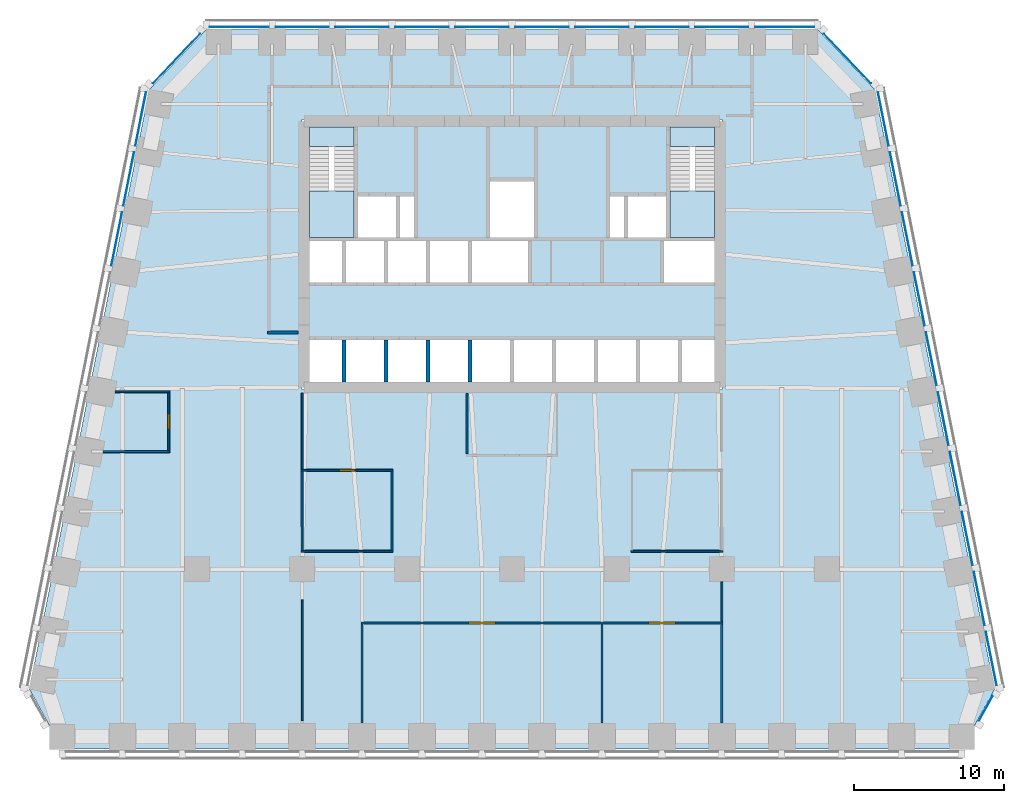
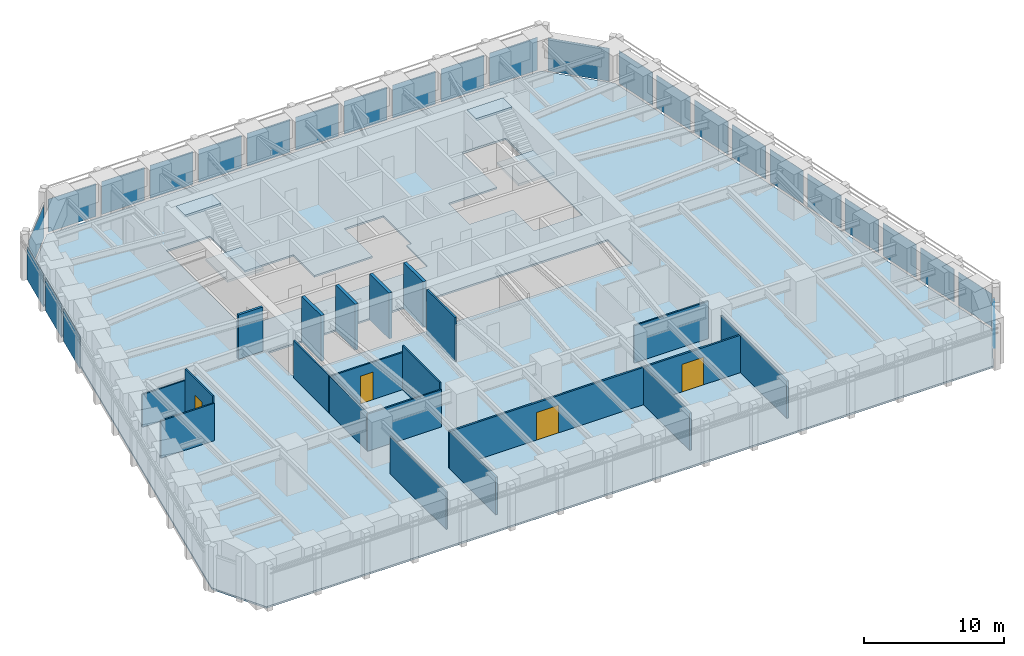
# One storey, part 5 of 9: 26 plates, 21 walls, 5 slabs, 4 doors, 4 openings, 8 elements without a shape of their own.
"""IFC4 building model written with IfcOpenShell, lengths in metres."""

from ifc_helpers import new_model, si_unit, direction, frame, frame_2d, origin, origin_2d, place, context, subcontext, project, spatial, polyline, rectangle, outline, extrude, material, layer, layer_set, type_object, element, fill, aggregate, save


model = new_model("IFC4")

# Units and contexts
model_context = context("Model", 3, precision=1e-05, world=origin(), true_north=direction((0.0, 1.0)))
body_context = subcontext(model_context, "Body", "Model", "MODEL_VIEW")
ifc_project = project(units=[si_unit("LENGTHUNIT", "METRE"), si_unit("AREAUNIT", "SQUARE_METRE"), si_unit("VOLUMEUNIT", "CUBIC_METRE"), si_unit("PLANEANGLEUNIT", "RADIAN"), si_unit("MASSUNIT", "GRAM", prefix="KILO")], contexts=[model_context])

# Site, building, storey
site_placement = place(None, origin())
site = spatial("IfcSite", under=ifc_project, at=site_placement, CompositionType="ELEMENT")
building_placement = place(site_placement, origin())
building = spatial("IfcBuilding", under=site, at=building_placement, Name="Isbrekke Arena Tower", CompositionType="ELEMENT")
storey_placement = place(building_placement, frame((0.0, 0.0, 127.0)))
storey = spatial("IfcBuildingStorey", under=building, at=storey_placement, Name="L28", CompositionType="ELEMENT", Elevation=127.0)

# Curtain wall, plate
ifc_material_1 = material(Name="Glazed aluminium curtain wall", Category="aluminium")
curtain_wall_type = type_object("IfcCurtainWallType", Name="CWM TOWER CURTAIN WALL MID ZONE", PredefinedType="USERDEFINED", material=ifc_material_1)
curtain_wall_1_placement = place(storey_placement, origin())
curtain_wall_1 = element("IfcCurtainWall", 1, at=curtain_wall_1_placement, inside=storey, type_object=curtain_wall_type, Name="CWM curtain wall L28-SE", ObjectType="TOWER CURTAIN WALL MID ZONE", PredefinedType="USERDEFINED")
ifc_material_2 = material(Name="Triple-glazed clear glass unit", Category="glass")
ifc_layer_1 = layer(ifc_material_2, 0.031982421875)
ifc_layer_set_1 = layer_set([ifc_layer_1], Name="CWM-P VISION PANEL")
plate_type = type_object("IfcPlateType", Name="CWM-P VISION PANEL", PredefinedType="CURTAIN_PANEL", material=ifc_layer_set_1)
plate_1_placement = place(storey_placement, frame((31.604248046875, -15.29052734375, 0.02001953125), z_axis=(0.0, 0.0, 1.0), x_axis=(0.481918749773, 0.876215908676, 0.0)))
plate_1 = element("IfcPlate", 2, at=plate_1_placement, type_object=plate_type, Name="CWM-P panel 1", PredefinedType="CURTAIN_PANEL", context=body_context, shape_type="SweptSolid", body=[
    extrude(rectangle(XDim=1.876220703125, YDim=0.031982421875, at=origin_2d()), origin(), (0.0, 0.0, 1.0), 2.8798828125),
])
aggregate(curtain_wall_1, [plate_1])

# Curtain wall, plates
curtain_wall_2_placement = place(storey_placement, origin())
curtain_wall_2 = element("IfcCurtainWall", 3, at=curtain_wall_2_placement, inside=storey, type_object=curtain_wall_type, Name="CWM curtain wall L28-E", ObjectType="TOWER CURTAIN WALL MID ZONE", PredefinedType="USERDEFINED")
plate_2_placement = place(storey_placement, frame((31.9716796875, -11.965576171875, 0.02001953125), z_axis=(0.0, 0.0, 1.0), x_axis=(-0.196116135138, 0.980580675691, 0.0)))
plate_2 = element("IfcPlate", 4, at=plate_2_placement, type_object=plate_type, Name="CWM-P panel 1", PredefinedType="CURTAIN_PANEL", context=body_context, shape_type="SweptSolid", body=[
    extrude(rectangle(XDim=3.629150390625, YDim=0.031982421875, at=origin_2d()), origin(), (0.0, 0.0, 1.0), 2.8798828125),
])
plate_3_placement = place(storey_placement, frame((31.171630859375, -7.965576171875, 0.02001953125), z_axis=(0.0, 0.0, 1.0), x_axis=(-0.196116135138, 0.980580675691, 0.0)))
plate_3 = element("IfcPlate", 5, at=plate_3_placement, type_object=plate_type, Name="CWM-P panel 2", PredefinedType="CURTAIN_PANEL", context=body_context, shape_type="SweptSolid", body=[
    extrude(rectangle(XDim=3.629150390625, YDim=0.031982421875, at=origin_2d()), origin(), (0.0, 0.0, 1.0), 2.8798828125),
])
plate_4_placement = place(storey_placement, frame((30.37158203125, -3.965576171875, 0.02001953125), z_axis=(0.0, 0.0, 1.0), x_axis=(-0.196116135138, 0.980580675691, 0.0)))
plate_4 = element("IfcPlate", 6, at=plate_4_placement, type_object=plate_type, Name="CWM-P panel 3", PredefinedType="CURTAIN_PANEL", context=body_context, shape_type="SweptSolid", body=[
    extrude(rectangle(XDim=3.629150390625, YDim=0.031982421875, at=origin_2d()), origin(), (0.0, 0.0, 1.0), 2.8798828125),
])
plate_5_placement = place(storey_placement, frame((29.571533203125, 0.034423828125, 0.02001953125), z_axis=(0.0, 0.0, 1.0), x_axis=(-0.196116135138, 0.980580675691, 0.0)))
plate_5 = element("IfcPlate", 7, at=plate_5_placement, type_object=plate_type, Name="CWM-P panel 4", PredefinedType="CURTAIN_PANEL", context=body_context, shape_type="SweptSolid", body=[
    extrude(rectangle(XDim=3.629150390625, YDim=0.031982421875, at=origin_2d()), origin(), (0.0, 0.0, 1.0), 2.8798828125),
])
plate_6_placement = place(storey_placement, frame((28.771484375, 4.034423828125, 0.02001953125), z_axis=(0.0, 0.0, 1.0), x_axis=(-0.196116135138, 0.980580675691, 0.0)))
plate_6 = element("IfcPlate", 8, at=plate_6_placement, type_object=plate_type, Name="CWM-P panel 5", PredefinedType="CURTAIN_PANEL", context=body_context, shape_type="SweptSolid", body=[
    extrude(rectangle(XDim=3.629150390625, YDim=0.031982421875, at=origin_2d()), origin(), (0.0, 0.0, 1.0), 2.8798828125),
])
plate_7_placement = place(storey_placement, frame((27.9716796875, 8.034423828125, 0.02001953125), z_axis=(0.0, 0.0, 1.0), x_axis=(-0.196116135138, 0.980580675691, 0.0)))
plate_7 = element("IfcPlate", 9, at=plate_7_placement, type_object=plate_type, Name="CWM-P panel 6", PredefinedType="CURTAIN_PANEL", context=body_context, shape_type="SweptSolid", body=[
    extrude(rectangle(XDim=3.629150390625, YDim=0.031982421875, at=origin_2d()), origin(), (0.0, 0.0, 1.0), 2.8798828125),
])
plate_8_placement = place(storey_placement, frame((27.171630859375, 12.034423828125, 0.02001953125), z_axis=(0.0, 0.0, 1.0), x_axis=(-0.196116135138, 0.980580675691, 0.0)))
plate_8 = element("IfcPlate", 10, at=plate_8_placement, type_object=plate_type, Name="CWM-P panel 7", PredefinedType="CURTAIN_PANEL", context=body_context, shape_type="SweptSolid", body=[
    extrude(rectangle(XDim=3.629150390625, YDim=0.031982421875, at=origin_2d()), origin(), (0.0, 0.0, 1.0), 2.8798828125),
])
plate_9_placement = place(storey_placement, frame((26.37158203125, 16.034423828125, 0.02001953125), z_axis=(0.0, 0.0, 1.0), x_axis=(-0.196116135138, 0.980580675691, 0.0)))
plate_9 = element("IfcPlate", 11, at=plate_9_placement, type_object=plate_type, Name="CWM-P panel 8", PredefinedType="CURTAIN_PANEL", context=body_context, shape_type="SweptSolid", body=[
    extrude(rectangle(XDim=3.629150390625, YDim=0.031982421875, at=origin_2d()), origin(), (0.0, 0.0, 1.0), 2.8798828125),
])
plate_10_placement = place(storey_placement, frame((25.571533203125, 20.034423828125, 0.02001953125), z_axis=(0.0, 0.0, 1.0), x_axis=(-0.196116135138, 0.980580675691, 0.0)))
plate_10 = element("IfcPlate", 12, at=plate_10_placement, type_object=plate_type, Name="CWM-P panel 9", PredefinedType="CURTAIN_PANEL", context=body_context, shape_type="SweptSolid", body=[
    extrude(rectangle(XDim=3.629150390625, YDim=0.031982421875, at=origin_2d()), origin(), (0.0, 0.0, 1.0), 2.8798828125),
])
plate_11_placement = place(storey_placement, frame((24.771484375, 24.034423828125, 0.02001953125), z_axis=(0.0, 0.0, 1.0), x_axis=(-0.196116135138, 0.980580675691, 0.0)))
plate_11 = element("IfcPlate", 13, at=plate_11_placement, type_object=plate_type, Name="CWM-P panel 10", PredefinedType="CURTAIN_PANEL", context=body_context, shape_type="SweptSolid", body=[
    extrude(rectangle(XDim=3.629150390625, YDim=0.031982421875, at=origin_2d()), origin(), (0.0, 0.0, 1.0), 2.8798828125),
])
aggregate(curtain_wall_2, [plate_2, plate_3, plate_4, plate_5, plate_6, plate_7, plate_8, plate_9, plate_10, plate_11])

# Curtain wall, plate
curtain_wall_3_placement = place(storey_placement, origin())
curtain_wall_3 = element("IfcCurtainWall", 14, at=curtain_wall_3_placement, inside=storey, type_object=curtain_wall_type, Name="CWM curtain wall L28-EN", ObjectType="TOWER CURTAIN WALL MID ZONE", PredefinedType="USERDEFINED")
plate_12_placement = place(storey_placement, frame((22.374755859375, 28.06640625, 0.02001953125), z_axis=(0.0, 0.0, 1.0), x_axis=(-0.68874946192, 0.72499943359, 0.0)))
plate_12 = element("IfcPlate", 15, at=plate_12_placement, type_object=plate_type, Name="CWM-P panel 1", PredefinedType="CURTAIN_PANEL", context=body_context, shape_type="SweptSolid", body=[
    extrude(rectangle(XDim=4.558349609375, YDim=0.031982421875, at=origin_2d()), origin(), (0.0, 0.0, 1.0), 2.8798828125),
])
aggregate(curtain_wall_3, [plate_12])

# Curtain wall, plates
curtain_wall_4_placement = place(storey_placement, origin())
curtain_wall_4 = element("IfcCurtainWall", 16, at=curtain_wall_4_placement, inside=storey, type_object=curtain_wall_type, Name="CWM curtain wall L28-N", ObjectType="TOWER CURTAIN WALL MID ZONE", PredefinedType="USERDEFINED")
plate_13_placement = place(storey_placement, frame((18.199951171875, 30.175048828125, 0.02001953125), z_axis=(0.0, 0.0, 1.0), x_axis=(-1.0, 0.0, 0.0)))
plate_13 = element("IfcPlate", 17, at=plate_13_placement, type_object=plate_type, Name="CWM-P panel 1", PredefinedType="CURTAIN_PANEL", context=body_context, shape_type="SweptSolid", body=[
    extrude(rectangle(XDim=3.949951171875, YDim=0.031982421875, at=origin_2d()), origin(), (0.0, 0.0, 1.0), 2.8798828125),
])
plate_14_placement = place(storey_placement, frame((14.0, 30.175048828125, 0.02001953125), z_axis=(0.0, 0.0, 1.0), x_axis=(-1.0, 0.0, 0.0)))
plate_14 = element("IfcPlate", 18, at=plate_14_placement, type_object=plate_type, Name="CWM-P panel 2", PredefinedType="CURTAIN_PANEL", context=body_context, shape_type="SweptSolid", body=[
    extrude(rectangle(XDim=3.550048828125, YDim=0.031982421875, at=origin_2d()), origin(), (0.0, 0.0, 1.0), 2.8798828125),
])
plate_15_placement = place(storey_placement, frame((10.0, 30.175048828125, 0.02001953125), z_axis=(0.0, 0.0, 1.0), x_axis=(-1.0, 0.0, 0.0)))
plate_15 = element("IfcPlate", 19, at=plate_15_placement, type_object=plate_type, Name="CWM-P panel 3", PredefinedType="CURTAIN_PANEL", context=body_context, shape_type="SweptSolid", body=[
    extrude(rectangle(XDim=3.550048828125, YDim=0.031982421875, at=origin_2d()), origin(), (0.0, 0.0, 1.0), 2.8798828125),
])
plate_16_placement = place(storey_placement, frame((6.0, 30.175048828125, 0.02001953125), z_axis=(0.0, 0.0, 1.0), x_axis=(-1.0, 0.0, 0.0)))
plate_16 = element("IfcPlate", 20, at=plate_16_placement, type_object=plate_type, Name="CWM-P panel 4", PredefinedType="CURTAIN_PANEL", context=body_context, shape_type="SweptSolid", body=[
    extrude(rectangle(XDim=3.550048828125, YDim=0.031982421875, at=origin_2d()), origin(), (0.0, 0.0, 1.0), 2.8798828125),
])
plate_17_placement = place(storey_placement, frame((2.0, 30.175048828125, 0.02001953125), z_axis=(0.0, 0.0, 1.0), x_axis=(-1.0, 0.0, 0.0)))
plate_17 = element("IfcPlate", 21, at=plate_17_placement, type_object=plate_type, Name="CWM-P panel 5", PredefinedType="CURTAIN_PANEL", context=body_context, shape_type="SweptSolid", body=[
    extrude(rectangle(XDim=3.550048828125, YDim=0.031982421875, at=origin_2d()), origin(), (0.0, 0.0, 1.0), 2.8798828125),
])
plate_18_placement = place(storey_placement, frame((-2.0, 30.175048828125, 0.02001953125), z_axis=(0.0, 0.0, 1.0), x_axis=(-1.0, 0.0, 0.0)))
plate_18 = element("IfcPlate", 22, at=plate_18_placement, type_object=plate_type, Name="CWM-P panel 6", PredefinedType="CURTAIN_PANEL", context=body_context, shape_type="SweptSolid", body=[
    extrude(rectangle(XDim=3.550048828125, YDim=0.031982421875, at=origin_2d()), origin(), (0.0, 0.0, 1.0), 2.8798828125),
])
plate_19_placement = place(storey_placement, frame((-6.0, 30.175048828125, 0.02001953125), z_axis=(0.0, 0.0, 1.0), x_axis=(-1.0, 0.0, 0.0)))
plate_19 = element("IfcPlate", 23, at=plate_19_placement, type_object=plate_type, Name="CWM-P panel 7", PredefinedType="CURTAIN_PANEL", context=body_context, shape_type="SweptSolid", body=[
    extrude(rectangle(XDim=3.550048828125, YDim=0.031982421875, at=origin_2d()), origin(), (0.0, 0.0, 1.0), 2.8798828125),
])
plate_20_placement = place(storey_placement, frame((-10.0, 30.175048828125, 0.02001953125), z_axis=(0.0, 0.0, 1.0), x_axis=(-1.0, 0.0, 0.0)))
plate_20 = element("IfcPlate", 24, at=plate_20_placement, type_object=plate_type, Name="CWM-P panel 8", PredefinedType="CURTAIN_PANEL", context=body_context, shape_type="SweptSolid", body=[
    extrude(rectangle(XDim=3.550048828125, YDim=0.031982421875, at=origin_2d()), origin(), (0.0, 0.0, 1.0), 2.8798828125),
])
plate_21_placement = place(storey_placement, frame((-14.0, 30.175048828125, 0.02001953125), z_axis=(0.0, 0.0, 1.0), x_axis=(-1.0, 0.0, 0.0)))
plate_21 = element("IfcPlate", 25, at=plate_21_placement, type_object=plate_type, Name="CWM-P panel 9", PredefinedType="CURTAIN_PANEL", context=body_context, shape_type="SweptSolid", body=[
    extrude(rectangle(XDim=3.550048828125, YDim=0.031982421875, at=origin_2d()), origin(), (0.0, 0.0, 1.0), 2.8798828125),
])
plate_22_placement = place(storey_placement, frame((-18.199951171875, 30.175048828125, 0.02001953125), z_axis=(0.0, 0.0, 1.0), x_axis=(-1.0, 0.0, 0.0)))
plate_22 = element("IfcPlate", 26, at=plate_22_placement, type_object=plate_type, Name="CWM-P panel 10", PredefinedType="CURTAIN_PANEL", context=body_context, shape_type="SweptSolid", body=[
    extrude(rectangle(XDim=3.949951171875, YDim=0.031982421875, at=origin_2d()), origin(), (0.0, 0.0, 1.0), 2.8798828125),
])
aggregate(curtain_wall_4, [plate_13, plate_14, plate_15, plate_16, plate_17, plate_18, plate_19, plate_20, plate_21, plate_22])

# Curtain wall, plate
curtain_wall_5_placement = place(storey_placement, origin())
curtain_wall_5 = element("IfcCurtainWall", 27, at=curtain_wall_5_placement, inside=storey, type_object=curtain_wall_type, Name="CWM curtain wall L28-NW", ObjectType="TOWER CURTAIN WALL MID ZONE", PredefinedType="USERDEFINED")
plate_23_placement = place(storey_placement, frame((-22.37451171875, 28.066650390625, 0.02001953125), z_axis=(0.0, 0.0, 1.0), x_axis=(-0.68874946192, -0.72499943359, 0.0)))
plate_23 = element("IfcPlate", 28, at=plate_23_placement, type_object=plate_type, Name="CWM-P panel 1", PredefinedType="CURTAIN_PANEL", context=body_context, shape_type="SweptSolid", body=[
    extrude(rectangle(XDim=4.557373046875, YDim=0.031982421875, at=origin_2d()), origin(), (0.0, 0.0, 1.0), 2.8798828125),
])
aggregate(curtain_wall_5, [plate_23])

# Curtain wall, plates
curtain_wall_6_placement = place(storey_placement, origin())
curtain_wall_6 = element("IfcCurtainWall", 29, at=curtain_wall_6_placement, inside=storey, type_object=curtain_wall_type, Name="CWM curtain wall L28-W", ObjectType="TOWER CURTAIN WALL MID ZONE", PredefinedType="USERDEFINED")
plate_24_placement = place(storey_placement, frame((-24.771484375, 24.034423828125, 0.02001953125), z_axis=(0.0, 0.0, 1.0), x_axis=(-0.196116135138, -0.980580675691, 0.0)))
plate_24 = element("IfcPlate", 30, at=plate_24_placement, type_object=plate_type, Name="CWM-P panel 1", PredefinedType="CURTAIN_PANEL", context=body_context, shape_type="SweptSolid", body=[
    extrude(rectangle(XDim=3.629150390625, YDim=0.031982421875, at=origin_2d()), origin(), (0.0, 0.0, 1.0), 2.8798828125),
])
plate_25_placement = place(storey_placement, frame((-25.571533203125, 20.034423828125, 0.02001953125), z_axis=(0.0, 0.0, 1.0), x_axis=(-0.196116135138, -0.980580675691, 0.0)))
plate_25 = element("IfcPlate", 31, at=plate_25_placement, type_object=plate_type, Name="CWM-P panel 2", PredefinedType="CURTAIN_PANEL", context=body_context, shape_type="SweptSolid", body=[
    extrude(rectangle(XDim=3.629150390625, YDim=0.031982421875, at=origin_2d()), origin(), (0.0, 0.0, 1.0), 2.8798828125),
])
plate_26_placement = place(storey_placement, frame((-26.37158203125, 16.034423828125, 0.02001953125), z_axis=(0.0, 0.0, 1.0), x_axis=(-0.196116135138, -0.980580675691, 0.0)))
plate_26 = element("IfcPlate", 32, at=plate_26_placement, type_object=plate_type, Name="CWM-P panel 3", PredefinedType="CURTAIN_PANEL", context=body_context, shape_type="SweptSolid", body=[
    extrude(rectangle(XDim=3.629150390625, YDim=0.031982421875, at=origin_2d()), origin(), (0.0, 0.0, 1.0), 2.8798828125),
])
aggregate(curtain_wall_6, [plate_24, plate_25, plate_26])

# Slab
ifc_material_3 = material(Name="Concrete B35 (C35/45)", Category="concrete")
ifc_layer_2 = layer(ifc_material_3, 0.14990234375)
ifc_layer_set_2 = layer_set([ifc_layer_2], Name="FS1 COMPOSITE FLOOR 150")
slab_type_1 = type_object("IfcSlabType", Name="FS1 COMPOSITE FLOOR 150", PredefinedType="FLOOR", material=ifc_layer_set_2)
slab_1_placement = place(storey_placement, frame((0.0, 0.0, -0.14990234375)))
element("IfcSlab", 33, at=slab_1_placement, inside=storey, type_object=slab_type_1, Name="FS1 floor slab L28", PredefinedType="FLOOR", context=body_context, shape_type="SweptSolid", body=[
    extrude(outline(polyline([(-30.0, -18.0), (30.0, -18.0), (32.199951171875, -14.0), (24.199951171875, 26.0), (20.39990234375, 30.0), (-20.39990234375, 30.0), (-24.199951171875, 26.0), (-32.199951171875, -14.0), (-30.0, -18.0)]), holes=[polyline([(14.0, 9.39990234375), (14.0, 6.0), (-14.0, 6.0), (-14.0, 9.39990234375), (14.0, 9.39990234375)]), polyline([(-6.39990234375, 19.0), (-6.39990234375, 16.0), (-1.60009765625, 16.0), (-1.60009765625, 20.0), (1.60009765625, 20.0), (1.60009765625, 16.0), (1.199951171875, 16.0), (1.199951171875, 13.0), (-14.0, 13.0), (-14.0, 24.0), (-10.39990234375, 24.0), (-10.39990234375, 19.0), (-6.39990234375, 19.0)]), polyline([(10.0, 13.0), (10.0, 16.0), (6.39990234375, 16.0), (6.39990234375, 19.0), (10.39990234375, 19.0), (10.39990234375, 24.0), (14.0, 24.0), (14.0, 13.0), (10.0, 13.0)])]), origin(), (0.0, 0.0, 1.0), 0.14990234375),
])

# Stair, slabs
ifc_material_4 = material(Name="Concrete B45 (C45/55) precast", Category="concrete")
stair_type = type_object("IfcStairType", Name="ST40 STAIR 1300 WIDE, 24 RISERS 167", PredefinedType="HALF_TURN_STAIR", material=ifc_material_4)
stair_1_placement = place(storey_placement, origin())
stair_1 = element("IfcStair", 34, at=stair_1_placement, inside=storey, type_object=stair_type, Name="ST1 stair L28", PredefinedType="HALF_TURN_STAIR")
ifc_material_5 = material(Name="Concrete B35 (C35/45)", Category="concrete")
ifc_layer_3 = layer(ifc_material_5, 0.199951171875)
ifc_layer_set_3 = layer_set([ifc_layer_3], Name="SL1 STAIR LANDING 200")
slab_type_2 = type_object("IfcSlabType", Name="SL1 STAIR LANDING 200", PredefinedType="LANDING", material=ifc_layer_set_3)
slab_2_placement = place(storey_placement, frame((0.0, 0.0, 1.800048828125)))
slab_2 = element("IfcSlab", 35, at=slab_2_placement, type_object=slab_type_2, Name="ST1 landing 1", PredefinedType="LANDING", context=body_context, shape_type="SweptSolid", body=[
    extrude(outline(polyline([(-13.5, 16.125), (-10.52490234375, 16.125), (-10.52490234375, 19.22998046875), (-13.5, 19.22998046875), (-13.5, 16.125)])), origin(), (0.0, 0.0, 1.0), 0.199951171875),
])
slab_3_placement = place(storey_placement, frame((0.0, 0.0, 3.800048828125)))
slab_3 = element("IfcSlab", 36, at=slab_3_placement, type_object=slab_type_2, Name="ST1 landing 2", PredefinedType="LANDING", context=body_context, shape_type="SweptSolid", body=[
    extrude(outline(polyline([(-13.5, 22.199951171875), (-10.52490234375, 22.199951171875), (-10.52490234375, 23.5), (-13.5, 23.5), (-13.5, 22.199951171875)])), origin(), (0.0, 0.0, 1.0), 0.199951171875),
])
aggregate(stair_1, [slab_2, slab_3])

stair_2_placement = place(storey_placement, origin())
stair_2 = element("IfcStair", 37, at=stair_2_placement, inside=storey, type_object=stair_type, Name="ST2 stair L28", PredefinedType="HALF_TURN_STAIR")
slab_4_placement = place(storey_placement, frame((0.0, 0.0, 1.800048828125)))
slab_4 = element("IfcSlab", 38, at=slab_4_placement, type_object=slab_type_2, Name="ST2 landing 1", PredefinedType="LANDING", context=body_context, shape_type="SweptSolid", body=[
    extrude(outline(polyline([(10.52490234375, 16.125), (13.5, 16.125), (13.5, 19.22998046875), (10.52490234375, 19.22998046875), (10.52490234375, 16.125)])), origin(), (0.0, 0.0, 1.0), 0.199951171875),
])
slab_5_placement = place(storey_placement, frame((0.0, 0.0, 3.800048828125)))
slab_5 = element("IfcSlab", 39, at=slab_5_placement, type_object=slab_type_2, Name="ST2 landing 2", PredefinedType="LANDING", context=body_context, shape_type="SweptSolid", body=[
    extrude(outline(polyline([(10.52490234375, 22.199951171875), (13.5, 22.199951171875), (13.5, 23.5), (10.52490234375, 23.5), (10.52490234375, 22.199951171875)])), origin(), (0.0, 0.0, 1.0), 0.199951171875),
])
aggregate(stair_2, [slab_4, slab_5])

# Walls
ifc_material_6 = material(Name="Concrete B45 (C45/55)", Category="concrete")
ifc_layer_4 = layer(ifc_material_6, 0.25)
ifc_layer_set_4 = layer_set([ifc_layer_4], Name="CW6 SHAFT WALL 250")
wall_type_1 = type_object("IfcWallType", Name="CW6 SHAFT WALL 250", PredefinedType="SHEAR", material=ifc_layer_set_4)
for number, where, z_axis, x_axis, name in (
    (40, (-11.199951171875, 6.5, 0.0), (0.0, 0.0, 1.0), (0.0, 1.0, 0.0), "Core wall SS01 L28"),
    (41, (-8.39990234375, 6.5, 0.0), (0.0, 0.0, 1.0), (0.0, 1.0, 0.0), "Core wall SS02 L28"),
    (42, (-5.60009765625, 6.5, 0.0), (0.0, 0.0, 1.0), (0.0, 1.0, 0.0), "Core wall SS03 L28"),
    (43, (-2.800048828125, 6.5, 0.0), (0.0, 0.0, 1.0), (0.0, 1.0, 0.0), "Core wall SS04 L28"),
):
    element("IfcWall", number, at=place(storey_placement, frame(where, z_axis=z_axis, x_axis=x_axis)), inside=storey, type_object=wall_type_1, Name=name, PredefinedType="SHEAR", context=body_context, shape_type="SweptSolid", body=[
        extrude(rectangle(XDim=2.77490234375, YDim=0.25, at=frame_2d((1.387451171875, 0.0))), origin(), (0.0, 0.0, 1.0), 4.0),
    ])

# Wall, openings, doors
ifc_material_7 = material(Name="Gypsum board partition on steel studs", Category="steel")
ifc_layer_5 = layer(ifc_material_7, 0.14990234375)
ifc_layer_set_5 = layer_set([ifc_layer_5], Name="IW1 PARTITION 150")
wall_type_2 = type_object("IfcWallType", Name="IW1 PARTITION 150", PredefinedType="PARTITIONING", material=ifc_layer_set_5)
wall_1_placement = place(storey_placement, frame((-10.074951171875, -9.60009765625, 0.0), z_axis=(0.0, 0.0, 1.0), x_axis=(1.0, 0.0, 0.0)))
wall_1 = element("IfcWall", 44, at=wall_1_placement, inside=storey, type_object=wall_type_2, Name="IW1 partition 150 L28", PredefinedType="PARTITIONING", context=body_context, shape_type="SweptSolid", body=[
    extrude(rectangle(XDim=24.14990234375, YDim=0.14990234375, at=frame_2d((12.074951171875, 0.0))), origin(), (0.0, 0.0, 1.0), 3.25),
])
opening_1_placement = place(wall_1_placement, frame((7.175048828125, 0.0, 0.0)))
opening_1 = element("IfcOpeningElement", 45, at=opening_1_placement, cuts=wall_1, Name="Opening D13", PredefinedType="OPENING", context=body_context, shape_type="SweptSolid", body=[
    extrude(rectangle(XDim=1.800048828125, YDim=2.39990234375, at=frame_2d((0.89990234375, 1.199951171875))), frame((0.0, 0.08984375, 0.0), z_axis=(0.0, -1.0, 0.0), x_axis=(1.0, 0.0, 0.0)), (0.0, 0.0, 1.0), 0.1796875),
])
opening_2_placement = place(wall_1_placement, frame((19.175048828125, 0.0, 0.0)))
opening_2 = element("IfcOpeningElement", 46, at=opening_2_placement, cuts=wall_1, Name="Opening D13", PredefinedType="OPENING", context=body_context, shape_type="SweptSolid", body=[
    extrude(rectangle(XDim=1.800048828125, YDim=2.39990234375, at=frame_2d((0.89990234375, 1.199951171875))), frame((0.0, 0.08984375, 0.0), z_axis=(0.0, -1.0, 0.0), x_axis=(1.0, 0.0, 0.0)), (0.0, 0.0, 1.0), 0.1796875),
])
ifc_material_8 = material(Name="Timber door pair", Category="wood")
door_type_1 = type_object("IfcDoorType", Name="D13 DOUBLE ROOM DOOR 1800 x 2400", OperationType="DOUBLE_DOOR_SINGLE_SWING", PredefinedType="DOOR", material=ifc_material_8)
door_1_placement = place(opening_1_placement, origin())
door_1 = element("IfcDoor", 47, at=door_1_placement, inside=storey, type_object=door_type_1, Name="D13 staff canteen door L28", OperationType="DOUBLE_DOOR_SINGLE_SWING", OverallHeight=2.39990234375, OverallWidth=1.800048828125, PredefinedType="DOOR", context=body_context, shape_type="SweptSolid", body=[
    extrude(rectangle(XDim=1.800048828125, YDim=2.39990234375, at=frame_2d((0.89990234375, 1.199951171875))), frame((0.0, 0.07470703125, 0.0), z_axis=(0.0, -1.0, 0.0), x_axis=(1.0, 0.0, 0.0)), (0.0, 0.0, 1.0), 0.1494140625),
])
fill(opening_1, door_1)
door_2_placement = place(opening_2_placement, origin())
door_2 = element("IfcDoor", 48, at=door_2_placement, inside=storey, type_object=door_type_1, Name="D13 kitchen door L28", OperationType="DOUBLE_DOOR_SINGLE_SWING", OverallHeight=2.39990234375, OverallWidth=1.800048828125, PredefinedType="DOOR", context=body_context, shape_type="SweptSolid", body=[
    extrude(rectangle(XDim=1.800048828125, YDim=2.39990234375, at=frame_2d((0.89990234375, 1.199951171875))), frame((0.0, 0.07470703125, 0.0), z_axis=(0.0, -1.0, 0.0), x_axis=(1.0, 0.0, 0.0)), (0.0, 0.0, 1.0), 0.1494140625),
])
fill(opening_2, door_2)

# Walls
wall_2_placement = place(storey_placement, frame((-10.0, -16.27490234375, 0.0), z_axis=(0.0, 0.0, 1.0), x_axis=(0.0, 1.0, 0.0)))
element("IfcWall", 49, at=wall_2_placement, inside=storey, type_object=wall_type_2, Name="IW1 partition 150 L28", PredefinedType="PARTITIONING", context=body_context, shape_type="SweptSolid", body=[
    extrude(rectangle(XDim=6.599853515625, YDim=0.14990234375, at=frame_2d((3.2998046875, 0.0))), origin(), (0.0, 0.0, 1.0), 3.25),
])
wall_3_placement = place(storey_placement, frame((-3.0, 1.675048828125, 0.0), z_axis=(0.0, 0.0, 1.0), x_axis=(0.0, 1.0, 0.0)))
element("IfcWall", 50, at=wall_3_placement, inside=storey, type_object=wall_type_2, Name="IW1 partition 150 L28", PredefinedType="PARTITIONING", context=body_context, shape_type="SweptSolid", body=[
    extrude(rectangle(XDim=4.044921875, YDim=0.14990234375, at=frame_2d((2.0224609375, 0.0))), origin(), (0.0, 0.0, 1.0), 3.85009765625),
])
for number, where, z_axis, x_axis, name in (
    (51, (6.0, -16.27490234375, 0.0), (0.0, 0.0, 1.0), (0.0, 1.0, 0.0), "IW1 partition 150 L28"),
    (52, (14.0, -16.27490234375, 0.0), (0.0, 0.0, 1.0), (0.0, 1.0, 0.0), "IW1 partition 150 L28"),
):
    element("IfcWall", number, at=place(storey_placement, frame(where, z_axis=z_axis, x_axis=x_axis)), inside=storey, type_object=wall_type_2, Name=name, PredefinedType="PARTITIONING", context=body_context, shape_type="SweptSolid", body=[
        extrude(rectangle(XDim=6.599853515625, YDim=0.14990234375, at=frame_2d((3.2998046875, 0.0))), origin(), (0.0, 0.0, 1.0), 3.25),
    ])
ifc_material_9 = material(Name="Frameless glazed partition, laminated acoustic glass", Category="glass")
ifc_layer_6 = layer(ifc_material_9, 0.1201171875)
ifc_layer_set_6 = layer_set([ifc_layer_6], Name="IW2 GLAZED PARTITION 120")
wall_type_3 = type_object("IfcWallType", Name="IW2 GLAZED PARTITION 120", PredefinedType="PARTITIONING", material=ifc_layer_set_6)
for number, where, z_axis, x_axis, name in (
    (53, (-14.06005859375, -4.800048828125, 0.0), (0.0, 0.0, 1.0), (1.0, 0.0, 0.0), "IW2 glazed partition 120 L28"),
    (54, (7.93994140625, -4.800048828125, 0.0), (0.0, 0.0, 1.0), (1.0, 0.0, 0.0), "IW2 glazed partition 120 L28"),
):
    element("IfcWall", number, at=place(storey_placement, frame(where, z_axis=z_axis, x_axis=x_axis)), inside=storey, type_object=wall_type_3, Name=name, PredefinedType="PARTITIONING", context=body_context, shape_type="SweptSolid", body=[
        extrude(rectangle(XDim=6.1201171875, YDim=0.1201171875, at=frame_2d((3.06005859375, 0.0))), origin(), (0.0, 0.0, 1.0), 3.25),
    ])

# Wall, opening, door
wall_4_placement = place(storey_placement, frame((-14.06005859375, 0.60009765625, 0.0), z_axis=(0.0, 0.0, 1.0), x_axis=(1.0, 0.0, 0.0)))
wall_4 = element("IfcWall", 55, at=wall_4_placement, inside=storey, type_object=wall_type_3, Name="IW2 glazed partition 120 L28", PredefinedType="PARTITIONING", context=body_context, shape_type="SweptSolid", body=[
    extrude(rectangle(XDim=6.1201171875, YDim=0.1201171875, at=frame_2d((3.06005859375, 0.0))), origin(), (0.0, 0.0, 1.0), 3.25),
])
opening_3_placement = place(wall_4_placement, frame((2.56005859375, 0.0, 0.0)))
opening_3 = element("IfcOpeningElement", 56, at=opening_3_placement, cuts=wall_4, Name="Opening D11", PredefinedType="OPENING", context=body_context, shape_type="SweptSolid", body=[
    extrude(rectangle(XDim=1.0, YDim=2.39990234375, at=frame_2d((0.5, 1.199951171875))), frame((0.0, 0.074951171875, 0.0), z_axis=(0.0, -1.0, 0.0), x_axis=(1.0, 0.0, 0.0)), (0.0, 0.0, 1.0), 0.14990234375),
])
ifc_material_10 = material(Name="Frameless glazed door", Category="glass")
door_type_2 = type_object("IfcDoorType", Name="D11 GLAZED MEETING ROOM DOOR 1000 x 2400", OperationType="SINGLE_SWING_RIGHT", PredefinedType="DOOR", material=ifc_material_10)
door_3_placement = place(opening_3_placement, origin())
door_3 = element("IfcDoor", 57, at=door_3_placement, inside=storey, type_object=door_type_2, Name="D11 meeting room door L28", OperationType="SINGLE_SWING_RIGHT", OverallHeight=2.39990234375, OverallWidth=1.0, PredefinedType="DOOR", context=body_context, shape_type="SweptSolid", body=[
    extrude(rectangle(XDim=1.0, YDim=2.39990234375, at=frame_2d((0.5, 1.199951171875))), frame((0.0, 0.059814453125, 0.0), z_axis=(0.0, -1.0, 0.0), x_axis=(1.0, 0.0, 0.0)), (0.0, 0.0, 1.0), 0.11962890625),
])
fill(opening_3, door_3)

# Walls
wall_5_placement = place(storey_placement, frame((-27.272705078125, 1.840087890625, 0.0), z_axis=(0.0, 0.0, 1.0), x_axis=(1.0, 0.0, 0.0)))
element("IfcWall", 58, at=wall_5_placement, inside=storey, type_object=wall_type_3, Name="IW2 glazed partition 120 L28", PredefinedType="PARTITIONING", context=body_context, shape_type="SweptSolid", body=[
    extrude(rectangle(XDim=4.4326171875, YDim=0.1201171875, at=frame_2d((2.21630859375, 0.0))), origin(), (0.0, 0.0, 1.0), 3.25),
])
wall_6_placement = place(storey_placement, frame((-26.472900390625, 5.840087890625, 0.0), z_axis=(0.0, 0.0, 1.0), x_axis=(1.0, 0.0, 0.0)))
element("IfcWall", 59, at=wall_6_placement, inside=storey, type_object=wall_type_3, Name="IW2 glazed partition 120 L28", PredefinedType="PARTITIONING", context=body_context, shape_type="SweptSolid", body=[
    extrude(rectangle(XDim=3.6328125, YDim=0.1201171875, at=frame_2d((1.81640625, 0.0))), origin(), (0.0, 0.0, 1.0), 2.842041015625),
])

# Wall, opening, door
wall_7_placement = place(storey_placement, frame((-22.89990234375, 1.89990234375, 0.0), z_axis=(0.0, 0.0, 1.0), x_axis=(0.0, 1.0, 0.0)))
wall_7 = element("IfcWall", 60, at=wall_7_placement, inside=storey, type_object=wall_type_3, Name="IW2 glazed partition 120 L28", PredefinedType="PARTITIONING", context=body_context, shape_type="SweptSolid", body=[
    extrude(rectangle(XDim=3.880126953125, YDim=0.1201171875, at=frame_2d((1.93994140625, 0.0))), origin(), (0.0, 0.0, 1.0), 3.85009765625),
])
opening_4_placement = place(wall_7_placement, frame((1.43994140625, 0.0, 0.0)))
opening_4 = element("IfcOpeningElement", 61, at=opening_4_placement, cuts=wall_7, Name="Opening D11", PredefinedType="OPENING", context=body_context, shape_type="SweptSolid", body=[
    extrude(rectangle(XDim=1.0, YDim=2.39990234375, at=frame_2d((0.5, 1.199951171875))), frame((0.0, 0.074951171875, 0.0), z_axis=(0.0, -1.0, 0.0), x_axis=(1.0, 0.0, 0.0)), (0.0, 0.0, 1.0), 0.14990234375),
])
door_4_placement = place(opening_4_placement, origin())
door_4 = element("IfcDoor", 62, at=door_4_placement, inside=storey, type_object=door_type_2, Name="D11 project room door L28", OperationType="SINGLE_SWING_RIGHT", OverallHeight=2.39990234375, OverallWidth=1.0, PredefinedType="DOOR", context=body_context, shape_type="SweptSolid", body=[
    extrude(rectangle(XDim=1.0, YDim=2.39990234375, at=frame_2d((0.5, 1.199951171875))), frame((0.0, 0.059814453125, 0.0), z_axis=(0.0, -1.0, 0.0), x_axis=(1.0, 0.0, 0.0)), (0.0, 0.0, 1.0), 0.11962890625),
])
fill(opening_4, door_4)

# Walls
wall_8_placement = place(storey_placement, frame((-14.0, -4.739990234375, 0.0), z_axis=(0.0, 0.0, 1.0), x_axis=(0.0, 1.0, 0.0)))
element("IfcWall", 63, at=wall_8_placement, inside=storey, type_object=wall_type_3, Name="IW2 glazed partition 120 L28", PredefinedType="PARTITIONING", context=body_context, shape_type="SweptSolid", body=[
    extrude(rectangle(XDim=5.280029296875, YDim=0.1201171875, at=frame_2d((2.64013671875, 0.0))), origin(), (0.0, 0.0, 1.0), 3.25),
])
wall_9_placement = place(storey_placement, frame((-8.0, -4.739990234375, 0.0), z_axis=(0.0, 0.0, 1.0), x_axis=(0.0, 1.0, 0.0)))
element("IfcWall", 64, at=wall_9_placement, inside=storey, type_object=wall_type_3, Name="IW2 glazed partition 120 L28", PredefinedType="PARTITIONING", context=body_context, shape_type="SweptSolid", body=[
    extrude(rectangle(XDim=5.280029296875, YDim=0.1201171875, at=frame_2d((2.64013671875, 0.0))), origin(), (0.0, 0.0, 1.0), 3.85009765625),
])
wall_10_placement = place(storey_placement, frame((-13.9990234375, -16.10009765625, 0.0), z_axis=(0.0, 0.0, 1.0), x_axis=(0.0, 1.0, 0.0)))
element("IfcWall", 65, at=wall_10_placement, inside=storey, type_object=wall_type_3, Name="IW2 glazed partition 120 L28", PredefinedType="PARTITIONING", context=body_context, shape_type="SweptSolid", body=[
    extrude(rectangle(XDim=8.050048828125, YDim=0.1201171875, at=frame_2d((4.02490234375, 0.0))), origin(), (0.0, 0.0, 1.0), 3.25),
])
wall_11_placement = place(storey_placement, frame((-13.9990234375, 0.679931640625, 0.0), z_axis=(0.0, 0.0, 1.0), x_axis=(0.0, 1.0, 0.0)))
element("IfcWall", 66, at=wall_11_placement, inside=storey, type_object=wall_type_3, Name="IW2 glazed partition 120 L28", PredefinedType="PARTITIONING", context=body_context, shape_type="SweptSolid", body=[
    extrude(rectangle(XDim=5.070068359375, YDim=0.1201171875, at=frame_2d((2.53515625, 0.0))), origin(), (0.0, 0.0, 1.0), 3.25),
])
wall_12_placement = place(storey_placement, frame((14.0, -9.5048828125, 0.0), z_axis=(0.0, 0.0, 1.0), x_axis=(0.0, 1.0, 0.0)))
element("IfcWall", 67, at=wall_12_placement, inside=storey, type_object=wall_type_3, Name="IW2 glazed partition 120 L28", PredefinedType="PARTITIONING", context=body_context, shape_type="SweptSolid", body=[
    extrude(rectangle(XDim=2.65478515625, YDim=0.1201171875, at=frame_2d((1.327392578125, 0.0))), origin(), (0.0, 0.0, 1.0), 3.25),
])
ifc_material_11 = material(Name="Gypsum board fire-cell wall on steel studs, two layers each side", Category="steel")
ifc_layer_7 = layer(ifc_material_11, 0.199951171875)
ifc_layer_set_7 = layer_set([ifc_layer_7], Name="IW3 FIRE-CELL WALL 200")
wall_type_4 = type_object("IfcWallType", Name="IW3 FIRE-CELL WALL 200", PredefinedType="PARTITIONING", material=ifc_layer_set_7)
wall_13_placement = place(storey_placement, frame((-16.300048828125, 9.800048828125, 0.0), z_axis=(0.0, 0.0, 1.0), x_axis=(1.0, 0.0, 0.0)))
element("IfcWall", 68, at=wall_13_placement, inside=storey, type_object=wall_type_4, Name="IW3 fire-cell wall 200 L28", PredefinedType="PARTITIONING", context=body_context, shape_type="SweptSolid", body=[
    extrude(rectangle(XDim=2.02001953125, YDim=0.199951171875, at=frame_2d((1.010009765625, 0.0))), origin(), (0.0, 0.0, 1.0), 3.85009765625),
])

save(model, "model.ifc")
